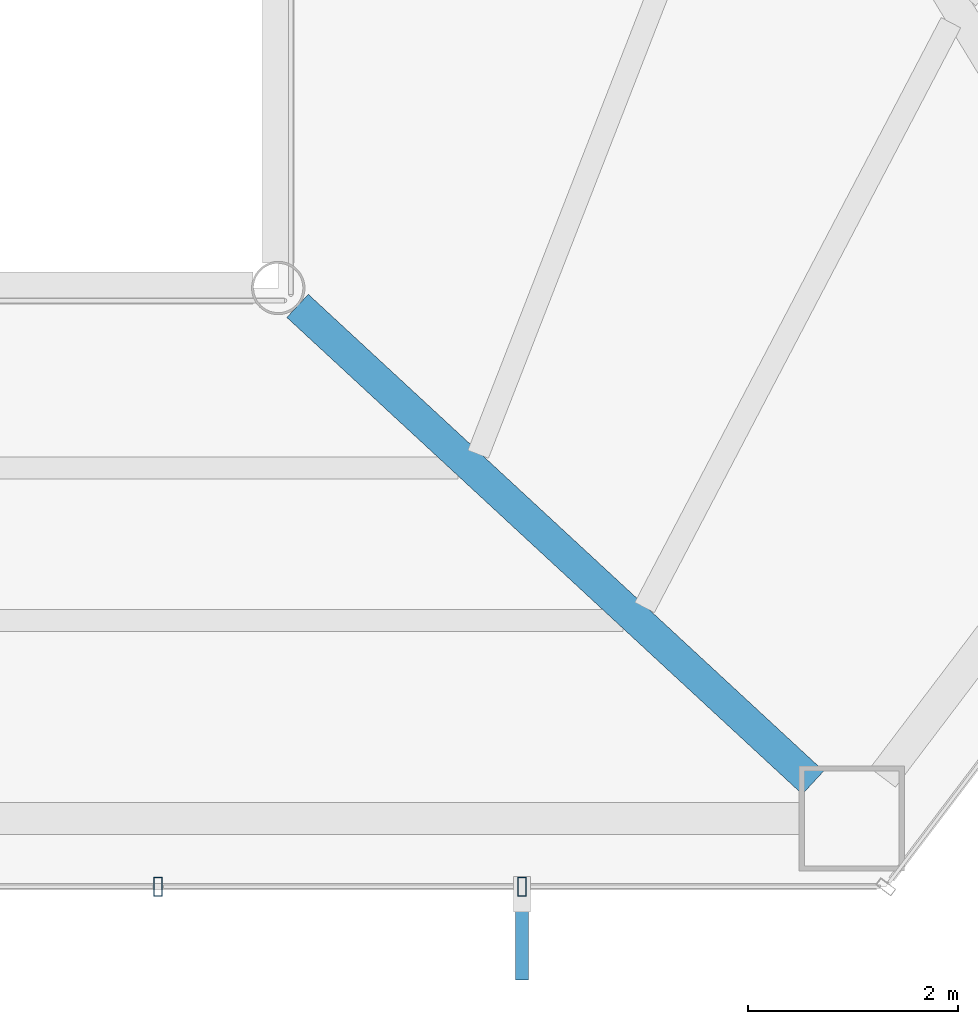
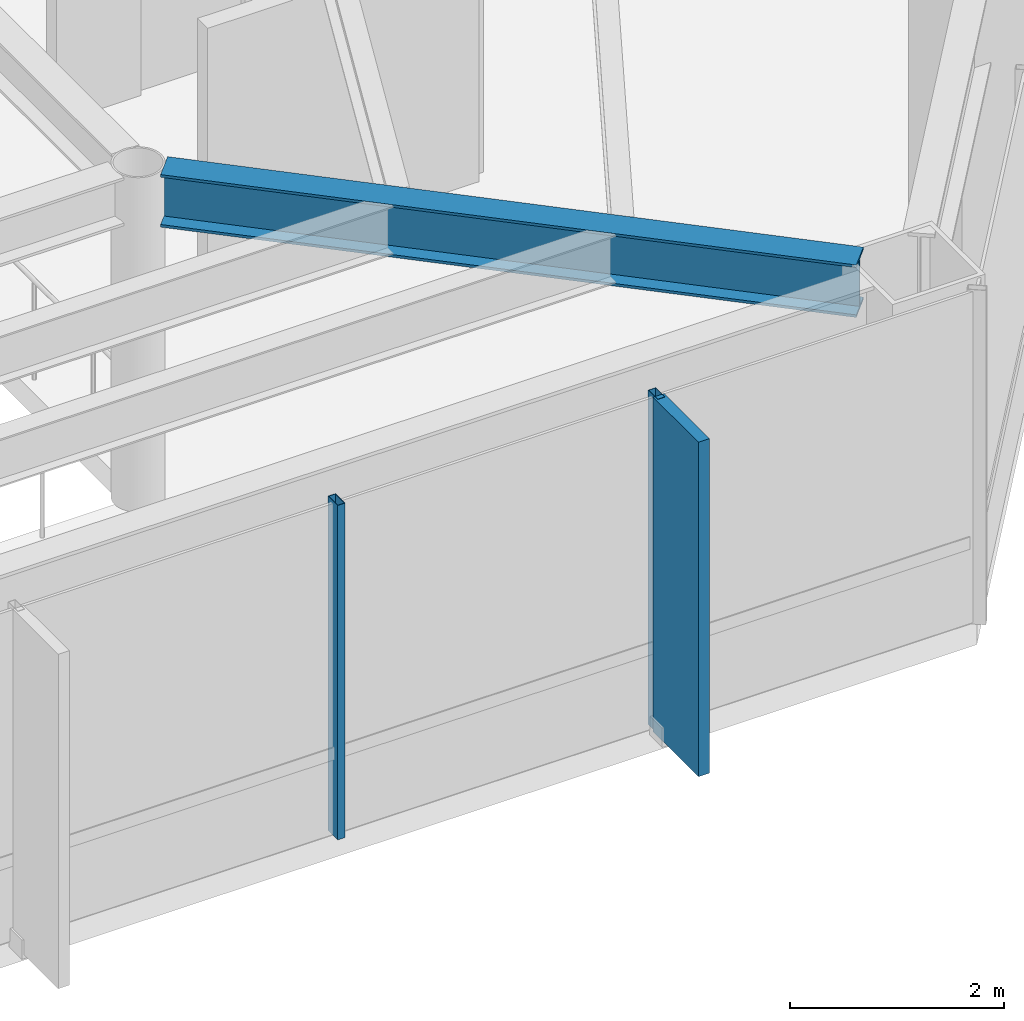
# One storey, part 6 of 24: 3 members, 1 beam, 1 element without a shape of its own.
"""IFC4 building model written with IfcOpenShell, lengths in metres."""

import ifcopenshell
import ifcopenshell.guid

model = None  # the IFC model being written
_history = None  # IfcOwnerHistory: only IFC2X3 demands one
_inside = {}  # id of a spatial element -> (the spatial element, [elements in it])
_under = {}  # id of a project, library or spatial element -> (it, [spatial elements below it])
_declared = {}  # id of a project -> (the project, [libraries it declares])
_typed = {}  # id of a type object -> (the type object, [elements of that type])
_made_of = {}  # id of a material, layer set ... -> (it, [elements and type objects made of it])


def new_model(schema):
    """Start an empty IFC model of exactly this schema.

    Asked for "IFC4X3", IfcOpenShell would pick the latest addendum, in which some entities
    have other attributes; the version numbers below select the first issue.
    IFC2X3 requires an IfcOwnerHistory on every rooted entity: one is made here for all.
    """
    global model, _history
    if schema == "IFC4X3":
        model = ifcopenshell.file(schema_version=(4, 3, 0, 0))
    else:
        model = ifcopenshell.file(schema=schema)
    _inside.clear()
    _under.clear()
    _declared.clear()
    _typed.clear()
    _made_of.clear()
    _history = None
    if model.schema == "IFC2X3":
        org = make("IfcOrganization", Name="unknown")
        user = make(
            "IfcPersonAndOrganization",
            ThePerson=make("IfcPerson", FamilyName="unknown"),
            TheOrganization=org,
        )
        app = make(
            "IfcApplication",
            ApplicationDeveloper=org,
            Version="unknown",
            ApplicationFullName="unknown",
            ApplicationIdentifier="unknown",
        )
        _history = make(
            "IfcOwnerHistory",
            OwningUser=user,
            OwningApplication=app,
            ChangeAction="ADDED",
            CreationDate=0,
        )
    return model


def make(cls, **values):
    """One entity of the class cls with the attributes given. An attribute that is None is left unset."""
    return model.create_entity(
        cls, **{name: value for name, value in values.items() if value is not None}
    )


def rooted(cls, **values):
    """An entity with a GlobalId (a new one), such as an element, a storey or a relation."""
    return make(cls, GlobalId=ifcopenshell.guid.new(), OwnerHistory=_history, **values)


def si_unit(unit_type, name, prefix=None):
    """IfcSIUnit, for example si_unit("LENGTHUNIT", "METRE", prefix="MILLI")."""
    return make("IfcSIUnit", UnitType=unit_type, Prefix=prefix, Name=name)


def assignment(units):
    """IfcUnitAssignment: the units of a project."""
    return None if units is None else make("IfcUnitAssignment", Units=units)


def point(xyz):
    """IfcCartesianPoint."""
    return None if xyz is None else make("IfcCartesianPoint", Coordinates=xyz)


def direction(xyz):
    """IfcDirection."""
    return None if xyz is None else make("IfcDirection", DirectionRatios=xyz)


def frame(location, z_axis=None, x_axis=None):
    """IfcAxis2Placement3D, a coordinate frame: its origin and axes. An axis left out is left unset."""
    return make(
        "IfcAxis2Placement3D",
        Location=point(location),
        Axis=direction(z_axis),
        RefDirection=direction(x_axis),
    )


def frame_2d(location, x_axis=None):
    """IfcAxis2Placement2D, a coordinate frame in the plane: its origin and x axis."""
    return make(
        "IfcAxis2Placement2D", Location=point(location), RefDirection=direction(x_axis)
    )


def origin():
    """The frame at (0, 0, 0) with its axes left unset."""
    return frame((0.0, 0.0, 0.0))


def origin_2d():
    """The frame at (0, 0) in the plane with its x axis left unset."""
    return frame_2d((0.0, 0.0))


def place(relative_to, where):
    """IfcLocalPlacement: puts the frame where relative to a parent placement (None: the world)."""
    return make(
        "IfcLocalPlacement", PlacementRelTo=relative_to, RelativePlacement=where
    )


def context(
    kind, dimensions, precision=None, world=None, true_north=None, identifier=None
):
    """IfcGeometricRepresentationContext, for example the 3D "Model" context."""
    return make(
        "IfcGeometricRepresentationContext",
        ContextIdentifier=identifier,
        ContextType=kind,
        CoordinateSpaceDimension=dimensions,
        Precision=precision,
        WorldCoordinateSystem=world,
        TrueNorth=true_north,
    )


def subcontext(parent, identifier, kind, view, scale=None):
    """IfcGeometricRepresentationSubContext, for example "Body" below "Model"."""
    return make(
        "IfcGeometricRepresentationSubContext",
        ContextIdentifier=identifier,
        ContextType=kind,
        ParentContext=parent,
        TargetScale=scale,
        TargetView=view,
    )


def project(units=None, contexts=None):
    """IfcProject with its units and contexts."""
    return rooted(
        "IfcProject",
        Name="project",
        RepresentationContexts=contexts,
        UnitsInContext=assignment(units),
    )


def spatial(cls, under=None, at=None, **own):
    """A site, building, storey or space (cls), placed at a placement, below another one or the project."""
    s = rooted(cls, ObjectPlacement=at, **own)
    if under is not None:
        _under.setdefault(under.id(), (under, []))[1].append(s)
    return s


def profile(cls, at=None, kind="AREA", **sizes):
    """A parametric profile (cls). Its sizes go by their IFC names, for example OverallWidth=200.0."""
    return make(cls, ProfileType=kind, Position=at, **sizes)


def rectangle(**sizes):
    """IfcRectangleProfileDef."""
    return profile("IfcRectangleProfileDef", **sizes)


def hollow_rectangle(**sizes):
    """IfcRectangleHollowProfileDef."""
    return profile("IfcRectangleHollowProfileDef", **sizes)


def i_section(**sizes):
    """IfcIShapeProfileDef."""
    return profile("IfcIShapeProfileDef", **sizes)


def extrude(swept, where, along, depth):
    """IfcExtrudedAreaSolid: the profile swept, set in the frame where, extruded along a direction by depth."""
    return make(
        "IfcExtrudedAreaSolid",
        SweptArea=swept,
        Position=where,
        ExtrudedDirection=direction(along),
        Depth=depth,
    )


def shape(context_of_items, identifier, shape_type, items):
    """IfcShapeRepresentation: the items that make up one representation, for example the "Body"."""
    return make(
        "IfcShapeRepresentation",
        ContextOfItems=context_of_items,
        RepresentationIdentifier=identifier,
        RepresentationType=shape_type,
        Items=items,
    )


def material(Name=None, Category=None):
    """IfcMaterial."""
    return make("IfcMaterial", Name=Name, Category=Category)


def layer(
    of_material, thickness, ventilated=None, Name=None, Category=None, Priority=None
):
    """IfcMaterialLayer: one layer of a wall or slab, of a material (None: an air gap)."""
    return make(
        "IfcMaterialLayer",
        Material=of_material,
        LayerThickness=thickness,
        IsVentilated=ventilated,
        Name=Name,
        Category=Category,
        Priority=Priority,
    )


def layer_set(layers, Name=None):
    """IfcMaterialLayerSet."""
    return make("IfcMaterialLayerSet", MaterialLayers=layers, LayerSetName=Name)


def material_profile(
    of_material, cross_section, Name=None, Category=None, Priority=None
):
    """IfcMaterialProfile: a cross section and its material."""
    return make(
        "IfcMaterialProfile",
        Name=Name,
        Material=of_material,
        Profile=cross_section,
        Priority=Priority,
        Category=Category,
    )


def profile_set(profiles, Name=None, composite=None):
    """IfcMaterialProfileSet."""
    return make(
        "IfcMaterialProfileSet",
        Name=Name,
        MaterialProfiles=profiles,
        CompositeProfile=composite,
    )


def made_of(thing, what):
    """Note that an element or type object is made of a material, layer set ...; save() writes the relation."""
    if what is not None:
        _made_of.setdefault(what.id(), (what, []))[1].append(thing)
    return thing


def type_object(cls, material=None, **own):
    """A type object (cls), such as IfcWallType, which elements share."""
    return made_of(rooted(cls, **own), material)


def element(
    cls,
    number,
    at=None,
    inside=None,
    cuts=None,
    type_object=None,
    material=None,
    context=None,
    identifier="Body",
    shape_type=None,
    held_by="IfcProductDefinitionShape",
    body=None,
    shapes=None,
    **own,
):
    """One element of the class cls, such as IfcWall. Its Tag is "e" and its number.

    at: its placement. inside: the storey or other place that contains it. cuts: it is an
    opening in that element (IfcRelVoidsElement). A single representation is given by context,
    identifier, shape_type and body (its items); several are given by shapes. held_by: the class
    of the entity that holds the representations. save() writes the other relations.
    """
    e = rooted(cls, Tag="e%d" % number, ObjectPlacement=at, **own)
    if body is not None:
        shapes = [shape(context, identifier, shape_type, body)]
    if shapes is not None:
        e.Representation = make(held_by, Representations=shapes)
    if inside is not None:
        _inside.setdefault(inside.id(), (inside, []))[1].append(e)
    if cuts is not None:
        rooted(
            "IfcRelVoidsElement", RelatingBuildingElement=cuts, RelatedOpeningElement=e
        )
    if type_object is not None:
        _typed.setdefault(type_object.id(), (type_object, []))[1].append(e)
    return made_of(e, material)


def aggregate(whole, parts):
    """IfcRelAggregates: a whole, such as a stair, and the parts it consists of."""
    return rooted("IfcRelAggregates", RelatingObject=whole, RelatedObjects=parts)


def save(model, path):
    """Write the relations noted so far, then the file.

    IfcRelAggregates (storeys below a building ...), IfcRelContainedInSpatialStructure (elements
    in a storey), IfcRelDefinesByType, IfcRelAssociatesMaterial and IfcRelDeclares: one each for
    every whole, place, type object, material and project.
    """
    for whole, parts in _under.values():
        aggregate(whole, parts)
    for where, things in _inside.values():
        rooted(
            "IfcRelContainedInSpatialStructure",
            RelatedElements=things,
            RelatingStructure=where,
        )
    for kind, things in _typed.values():
        rooted("IfcRelDefinesByType", RelatedObjects=things, RelatingType=kind)
    for what, things in _made_of.values():
        rooted("IfcRelAssociatesMaterial", RelatedObjects=things, RelatingMaterial=what)
    for by, libraries in _declared.values():
        rooted("IfcRelDeclares", RelatingContext=by, RelatedDefinitions=libraries)
    model.write(path)


model = new_model("IFC4")

# Units and contexts
model_context = context("Model", 3, precision=1e-05, world=origin(), true_north=direction((0.0, 1.0)))
body_context = subcontext(model_context, "Body", "Model", "MODEL_VIEW")
ifc_project = project(units=[si_unit("LENGTHUNIT", "METRE"), si_unit("AREAUNIT", "SQUARE_METRE"), si_unit("VOLUMEUNIT", "CUBIC_METRE"), si_unit("PLANEANGLEUNIT", "RADIAN"), si_unit("MASSUNIT", "GRAM", prefix="KILO")], contexts=[model_context])

# Site, building, storey
site_placement = place(None, origin())
site = spatial("IfcSite", under=ifc_project, at=site_placement, CompositionType="ELEMENT")
building_placement = place(site_placement, origin())
building = spatial("IfcBuilding", under=site, at=building_placement, Name="Zarrinselat Tower", CompositionType="ELEMENT")
storey_placement = place(building_placement, frame((0.0, 0.0, 64.260009765625)))
storey = spatial("IfcBuildingStorey", under=building, at=storey_placement, Name="L15", CompositionType="ELEMENT", Elevation=64.260009765625)

# Beam
ifc_material_1 = material(Name="Steel S355J2", Category="steel")
ifc_material_profile_1 = material_profile(ifc_material_1, i_section(OverallWidth=0.300048828125, OverallDepth=0.60009765625, WebThickness=0.015380859375, FlangeThickness=0.030029296875, at=origin_2d()), Name="HEB 600")
ifc_profile_set_1 = profile_set([ifc_material_profile_1], Name="Steel S355J2")
beam_type = type_object("IfcBeamType", Name="BM-HEB600", PredefinedType="BEAM", material=ifc_profile_set_1)
beam_placement = place(storey_placement, frame((43.18359375, 24.230224609375, 3.52001953125), z_axis=(0.734093514164, -0.679048387423, 0.0), x_axis=(0.679048387423, 0.734093514164, 0.0)))
element("IfcBeam", 1, at=beam_placement, inside=storey, type_object=beam_type, Name="L15 Radial Primary Girder RG11", PredefinedType="BEAM", context=body_context, shape_type="SweptSolid", body=[
    extrude(i_section(OverallWidth=0.300048828125, OverallDepth=0.60009765625, WebThickness=0.015380859375, FlangeThickness=0.030029296875, at=origin_2d()), origin(), (0.0, 0.0, 1.0), 6.675048828125),
])

# Curtain wall, members
ifc_material_2 = material(Name="Extruded Aluminium Alloy EN AW-6063 T6", Category="aluminium")
ifc_layer = layer(ifc_material_2, 0.18505859375)
ifc_layer_set = layer_set([ifc_layer], Name="Extruded Aluminium Alloy EN AW-6063 T6")
curtain_wall_type = type_object("IfcCurtainWallType", Name="CWS-OFF", PredefinedType="NOTDEFINED", material=ifc_layer_set)
curtain_wall_placement = place(storey_placement, origin())
curtain_wall = element("IfcCurtainWall", 2, at=curtain_wall_placement, inside=storey, type_object=curtain_wall_type, Name="L15 Unitised Curtain Wall CW-L15-E05", PredefinedType="NOTDEFINED")
ifc_material_3 = material(Name="Extruded Aluminium Alloy EN AW-6063 T6", Category="aluminium")
ifc_material_profile_2 = material_profile(ifc_material_3, hollow_rectangle(XDim=0.080078125, YDim=0.179931640625, WallThickness=0.0048828125, at=origin_2d()), Name="RHS 180x80x5")
ifc_profile_set_2 = profile_set([ifc_material_profile_2], Name="Extruded Aluminium Alloy EN AW-6063 T6")
member_type_1 = type_object("IfcMemberType", Name="MEM-CW-MUL", PredefinedType="MULLION", material=ifc_profile_set_2)
member_1_placement = place(storey_placement, frame((45.31689453125, 18.70654296875, 0.0), z_axis=(0.0, 0.0, 1.0), x_axis=(-1.0, 0.0, 0.0)))
member_1 = element("IfcMember", 3, at=member_1_placement, type_object=member_type_1, Name="CW-L15-E05 Mullion 1", PredefinedType="MULLION", context=body_context, shape_type="SweptSolid", body=[
    extrude(hollow_rectangle(XDim=0.080078125, YDim=0.179931640625, WallThickness=0.0048828125, at=origin_2d()), origin(), (0.0, 0.0, 1.0), 3.820068359375),
])
member_2_placement = place(storey_placement, frame((41.8583984375, 18.70654296875, 0.0), z_axis=(0.0, 0.0, 1.0), x_axis=(-1.0, 0.0, 0.0)))
member_2 = element("IfcMember", 4, at=member_2_placement, type_object=member_type_1, Name="CW-L15-E05 Mullion 2", PredefinedType="MULLION", context=body_context, shape_type="SweptSolid", body=[
    extrude(hollow_rectangle(XDim=0.080078125, YDim=0.179931640625, WallThickness=0.0048828125, at=origin_2d()), origin(), (0.0, 0.0, 1.0), 3.820068359375),
])
ifc_material_4 = material(Name="Honed Cream Travertine Stone", Category="masonry")
ifc_material_profile_3 = material_profile(ifc_material_4, rectangle(XDim=0.1201171875, YDim=0.85009765625, at=origin_2d()), Name="FIN 850x120")
ifc_profile_set_3 = profile_set([ifc_material_profile_3], Name="Honed Cream Travertine Stone")
member_type_2 = type_object("IfcMemberType", Name="MEM-STONE-FIN", PredefinedType="USERDEFINED", material=ifc_profile_set_3)
member_3_placement = place(storey_placement, frame((45.31689453125, 18.24658203125, 0.0), z_axis=(0.0, 0.0, 1.0), x_axis=(-1.0, 0.0, 0.0)))
member_3 = element("IfcMember", 5, at=member_3_placement, type_object=member_type_2, Name="L15 Stone Shading Fin CW-L15-E05-01", ObjectType="FIN", PredefinedType="USERDEFINED", context=body_context, shape_type="SweptSolid", body=[
    extrude(rectangle(XDim=0.1201171875, YDim=0.85009765625, at=origin_2d()), origin(), (0.0, 0.0, 1.0), 3.820068359375),
])
aggregate(curtain_wall, [member_1, member_3, member_2])

save(model, "model.ifc")
